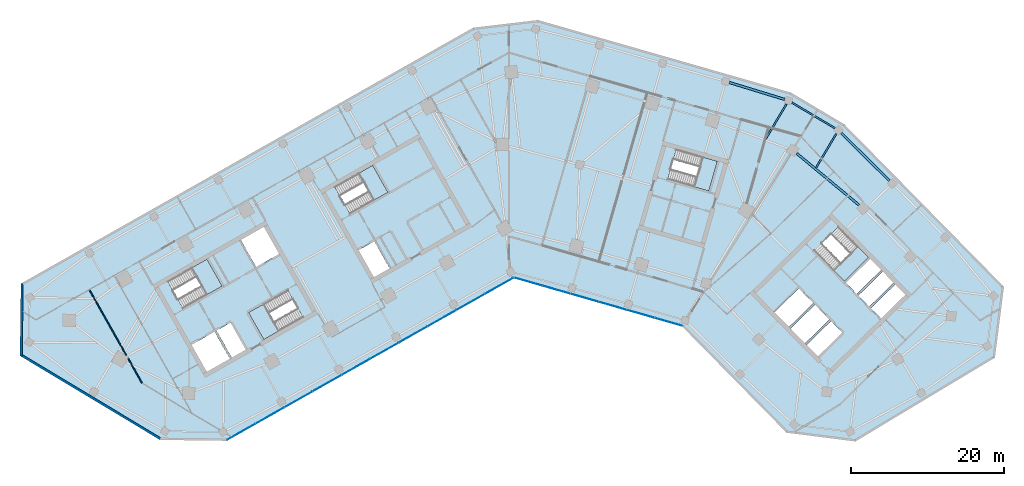
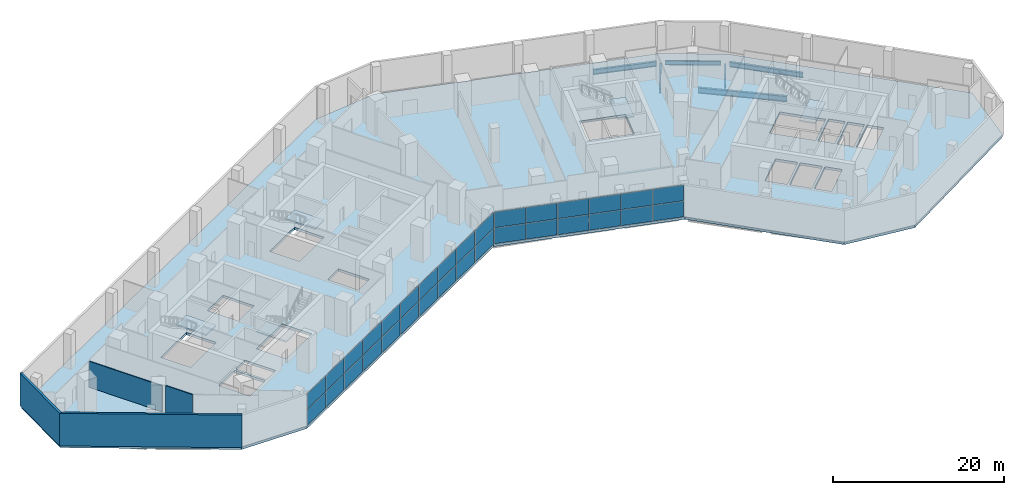
# One storey, part 7 of 15: 32 plates, 6 beams, 6 slabs, 4 walls, 7 elements without a shape of their own.
"""IFC4 building model written with IfcOpenShell, lengths in metres."""

from ifc_helpers import new_model, si_unit, direction, frame, frame_2d, origin, origin_2d, place, context, subcontext, project, spatial, polyline, rectangle, i_section, outline, extrude, material, layer, layer_set, material_profile, profile_set, type_object, element, aggregate, save


model = new_model("IFC4")

# Units and contexts
model_context = context("Model", 3, precision=1e-05, world=origin(), true_north=direction((0.0, 1.0)))
body_context = subcontext(model_context, "Body", "Model", "MODEL_VIEW")
ifc_project = project(units=[si_unit("LENGTHUNIT", "METRE"), si_unit("AREAUNIT", "SQUARE_METRE"), si_unit("VOLUMEUNIT", "CUBIC_METRE"), si_unit("PLANEANGLEUNIT", "RADIAN"), si_unit("MASSUNIT", "GRAM", prefix="KILO")], contexts=[model_context])

# Site, building, storey
site_placement = place(None, origin())
site = spatial("IfcSite", under=ifc_project, at=site_placement, CompositionType="ELEMENT")
building_placement = place(site_placement, origin())
building = spatial("IfcBuilding", under=site, at=building_placement, Name="Binnacle Exchange Tower", CompositionType="ELEMENT")
storey_placement = place(building_placement, frame((0.0, 0.0, 16.5)))
storey = spatial("IfcBuildingStorey", under=building, at=storey_placement, Name="L03", CompositionType="ELEMENT", Elevation=16.5)

# Beams
ifc_material_1 = material(Name="Steel S355 (SHN355)", Category="steel")
ifc_material_profile_1 = material_profile(ifc_material_1, i_section(OverallWidth=0.200927734375, OverallDepth=0.60595703125, WebThickness=0.011962890625, FlangeThickness=0.02001953125, FilletRadius=0.02197265625, at=origin_2d()), Name="H 606x201x12x20")
ifc_profile_set_1 = profile_set([ifc_material_profile_1], Name="Steel S355 (SHN355)")
beam_type_1 = type_object("IfcBeamType", Name="Edge girder H 606x201x12x20 Steel S355 (SHN355)", PredefinedType="SPANDREL", material=ifc_profile_set_1)
beam_1_placement = place(storey_placement, frame((36.972412109375, 65.474609375, -0.653076171875), z_axis=(0.859408777726, -0.51128910879, 0.0), x_axis=(0.51128910879, 0.859408777726, 0.0)))
element("IfcBeam", 1, at=beam_1_placement, inside=storey, type_object=beam_type_1, Name="S:BM:edge:L03:063", PredefinedType="SPANDREL", context=body_context, shape_type="SweptSolid", body=[
    extrude(i_section(OverallWidth=0.200927734375, OverallDepth=0.60595703125, WebThickness=0.011962890625, FlangeThickness=0.02001953125, FilletRadius=0.02197265625, at=origin_2d()), origin(), (0.0, 0.0, 1.0), 6.546142578125),
])
ifc_material_profile_2 = material_profile(ifc_material_1, i_section(OverallWidth=0.300048828125, OverallDepth=0.699951171875, WebThickness=0.012939453125, FlangeThickness=0.02392578125, FilletRadius=0.028076171875, at=origin_2d()), Name="H 700x300x13x24")
ifc_profile_set_2 = profile_set([ifc_material_profile_2], Name="Steel S355 (SHN355)")
beam_type_2 = type_object("IfcBeamType", Name="Edge girder H 700x300x13x24 Steel S355 (SHN355)", PredefinedType="SPANDREL", material=ifc_profile_set_2)
beam_2_placement = place(storey_placement, frame((28.794189453125, 68.103515625, -0.699951171875), z_axis=(0.956298600783, -0.292391836653, 0.0), x_axis=(0.292391836653, 0.956298600783, 0.0)))
element("IfcBeam", 2, at=beam_2_placement, inside=storey, type_object=beam_type_2, Name="S:BM:edge:L03:058", PredefinedType="SPANDREL", context=body_context, shape_type="SweptSolid", body=[
    extrude(i_section(OverallWidth=0.300048828125, OverallDepth=0.699951171875, WebThickness=0.012939453125, FlangeThickness=0.02392578125, FilletRadius=0.028076171875, at=origin_2d()), origin(), (0.0, 0.0, 1.0), 7.58740234375),
])
beam_3_placement = place(storey_placement, frame((43.398193359375, 61.51220703125, -0.699951171875), z_axis=(0.711633547042, -0.702550848497, 0.0), x_axis=(0.702550848497, 0.711633547042, 0.0)))
element("IfcBeam", 3, at=beam_3_placement, inside=storey, type_object=beam_type_2, Name="S:BM:edge:L03:065", PredefinedType="SPANDREL", context=body_context, shape_type="SweptSolid", body=[
    extrude(i_section(OverallWidth=0.300048828125, OverallDepth=0.699951171875, WebThickness=0.012939453125, FlangeThickness=0.02392578125, FilletRadius=0.028076171875, at=origin_2d()), origin(), (0.0, 0.0, 1.0), 8.897216796875),
])
ifc_material_profile_3 = material_profile(ifc_material_1, i_section(OverallWidth=0.300048828125, OverallDepth=0.800048828125, WebThickness=0.013916015625, FlangeThickness=0.02587890625, FilletRadius=0.028076171875, at=origin_2d()), Name="H 800x300x14x26")
ifc_profile_set_3 = profile_set([ifc_material_profile_3], Name="Steel S355 (SHN355)")
beam_type_3 = type_object("IfcBeamType", Name="Edge girder H 800x300x14x26 Steel S355 (SHN355)", PredefinedType="SPANDREL", material=ifc_profile_set_3)
beam_4_placement = place(storey_placement, frame((45.7451171875, 52.084228515625, -0.75), z_axis=(-0.769906025895, 0.638157277864, 0.0), x_axis=(-0.638157277864, -0.769906025895, 0.0)))
element("IfcBeam", 4, at=beam_4_placement, inside=storey, type_object=beam_type_3, Name="S:BM:edge:L03:067", PredefinedType="SPANDREL", context=body_context, shape_type="SweptSolid", body=[
    extrude(i_section(OverallWidth=0.300048828125, OverallDepth=0.800048828125, WebThickness=0.013916015625, FlangeThickness=0.02587890625, FilletRadius=0.028076171875, at=origin_2d()), origin(), (0.0, 0.0, 1.0), 10.59033203125),
])
ifc_material_profile_4 = material_profile(ifc_material_1, i_section(OverallWidth=0.201904296875, OverallDepth=0.612060546875, WebThickness=0.012939453125, FlangeThickness=0.02294921875, FilletRadius=0.02197265625, at=origin_2d()), Name="H 612x202x13x23")
ifc_profile_set_4 = profile_set([ifc_material_profile_4], Name="Steel S355 (SHN355)")
beam_type_4 = type_object("IfcBeamType", Name="Floor beam H 612x202x13x23 Steel S355 (SHN355)", PredefinedType="BEAM", material=ifc_profile_set_4)
beam_5_placement = place(storey_placement, frame((36.263916015625, 65.294677734375, -0.656005859375), z_axis=(-0.511292595627, -0.859406703288, 0.0), x_axis=(0.859406703288, -0.511292595627, 0.0)))
element("IfcBeam", 5, at=beam_5_placement, inside=storey, type_object=beam_type_4, Name="S:BM:cross:L03:115", PredefinedType="BEAM", context=body_context, shape_type="SweptSolid", body=[
    extrude(i_section(OverallWidth=0.201904296875, OverallDepth=0.612060546875, WebThickness=0.012939453125, FlangeThickness=0.02294921875, FilletRadius=0.02197265625, at=origin_2d()), origin(), (0.0, 0.0, 1.0), 5.31884765625),
])
beam_6_placement = place(storey_placement, frame((42.778076171875, 61.419189453125, -0.656005859375), z_axis=(-0.511272874429, -0.859418435847, 0.0), x_axis=(0.859418435847, -0.511272874429, 0.0)))
element("IfcBeam", 6, at=beam_6_placement, inside=storey, type_object=beam_type_4, Name="S:BM:cross:L03:119", PredefinedType="BEAM", context=body_context, shape_type="SweptSolid", body=[
    extrude(i_section(OverallWidth=0.201904296875, OverallDepth=0.612060546875, WebThickness=0.012939453125, FlangeThickness=0.02294921875, FilletRadius=0.02197265625, at=origin_2d()), origin(), (0.0, 0.0, 1.0), 5.208251953125),
])

# Curtain wall, plates
ifc_material_2 = material(Name="Bronze anodised aluminium frame", Category="aluminium")
curtain_wall_type = type_object("IfcCurtainWallType", Name="External wall - curtain wall podium harbour front", PredefinedType="NOTDEFINED", material=ifc_material_2)
curtain_wall_1_placement = place(storey_placement, origin())
curtain_wall_1 = element("IfcCurtainWall", 7, at=curtain_wall_1_placement, inside=storey, type_object=curtain_wall_type, Name="External wall curtain wall CW3-P06 L03", PredefinedType="NOTDEFINED")
ifc_material_3 = material(Name="Glass", Category="glass")
ifc_layer_1 = layer(ifc_material_3, 0.035888671875)
ifc_layer_set_1 = layer_set([ifc_layer_1], Name="CW3 GLASS PANEL 36")
plate_type = type_object("IfcPlateType", Name="CW3 GLASS PANEL 36", PredefinedType="CURTAIN_PANEL", material=ifc_layer_set_1)
plate_1_placement = place(storey_placement, frame((-34.995361328125, 22.455810546875, 0.050048828125), z_axis=(0.0, 0.0, 1.0), x_axis=(0.870355581144, 0.492423763004, 0.0)))
plate_1 = element("IfcPlate", 8, at=plate_1_placement, type_object=plate_type, Name="CW3-P06 panel 1.1", PredefinedType="CURTAIN_PANEL", context=body_context, shape_type="SweptSolid", body=[
    extrude(rectangle(XDim=4.200927734375, YDim=0.035888671875, at=origin_2d()), origin(), (0.0, 0.0, 1.0), 2.25),
])
plate_2_placement = place(storey_placement, frame((-34.995361328125, 22.455810546875, 2.35009765625), z_axis=(0.0, 0.0, 1.0), x_axis=(0.870355581144, 0.492423763004, 0.0)))
plate_2 = element("IfcPlate", 9, at=plate_2_placement, type_object=plate_type, Name="CW3-P06 panel 1.2", PredefinedType="CURTAIN_PANEL", context=body_context, shape_type="SweptSolid", body=[
    extrude(rectangle(XDim=4.200927734375, YDim=0.035888671875, at=origin_2d()), origin(), (0.0, 0.0, 1.0), 2.25),
])
plate_3_placement = place(storey_placement, frame((-31.26318359375, 24.5673828125, 0.050048828125), z_axis=(0.0, 0.0, 1.0), x_axis=(0.870355581144, 0.492423763004, 0.0)))
plate_3 = element("IfcPlate", 10, at=plate_3_placement, type_object=plate_type, Name="CW3-P06 panel 2.1", PredefinedType="CURTAIN_PANEL", context=body_context, shape_type="SweptSolid", body=[
    extrude(rectangle(XDim=4.23583984375, YDim=0.035888671875, at=origin_2d()), origin(), (0.0, 0.0, 1.0), 2.25),
])
plate_4_placement = place(storey_placement, frame((-31.26318359375, 24.5673828125, 2.35009765625), z_axis=(0.0, 0.0, 1.0), x_axis=(0.870355581144, 0.492423763004, 0.0)))
plate_4 = element("IfcPlate", 11, at=plate_4_placement, type_object=plate_type, Name="CW3-P06 panel 2.2", PredefinedType="CURTAIN_PANEL", context=body_context, shape_type="SweptSolid", body=[
    extrude(rectangle(XDim=4.23583984375, YDim=0.035888671875, at=origin_2d()), origin(), (0.0, 0.0, 1.0), 2.25),
])
plate_5_placement = place(storey_placement, frame((-27.515380859375, 26.687744140625, 0.050048828125), z_axis=(0.0, 0.0, 1.0), x_axis=(0.870355581144, 0.492423763004, 0.0)))
plate_5 = element("IfcPlate", 12, at=plate_5_placement, type_object=plate_type, Name="CW3-P06 panel 3.1", PredefinedType="CURTAIN_PANEL", context=body_context, shape_type="SweptSolid", body=[
    extrude(rectangle(XDim=4.23583984375, YDim=0.035888671875, at=origin_2d()), origin(), (0.0, 0.0, 1.0), 2.25),
])
plate_6_placement = place(storey_placement, frame((-27.515380859375, 26.687744140625, 2.35009765625), z_axis=(0.0, 0.0, 1.0), x_axis=(0.870355581144, 0.492423763004, 0.0)))
plate_6 = element("IfcPlate", 13, at=plate_6_placement, type_object=plate_type, Name="CW3-P06 panel 3.2", PredefinedType="CURTAIN_PANEL", context=body_context, shape_type="SweptSolid", body=[
    extrude(rectangle(XDim=4.23583984375, YDim=0.035888671875, at=origin_2d()), origin(), (0.0, 0.0, 1.0), 2.25),
])
plate_7_placement = place(storey_placement, frame((-23.767822265625, 28.807861328125, 0.050048828125), z_axis=(0.0, 0.0, 1.0), x_axis=(0.870355581144, 0.492423763004, 0.0)))
plate_7 = element("IfcPlate", 14, at=plate_7_placement, type_object=plate_type, Name="CW3-P06 panel 4.1", PredefinedType="CURTAIN_PANEL", context=body_context, shape_type="SweptSolid", body=[
    extrude(rectangle(XDim=4.23583984375, YDim=0.035888671875, at=origin_2d()), origin(), (0.0, 0.0, 1.0), 2.25),
])
plate_8_placement = place(storey_placement, frame((-23.767822265625, 28.807861328125, 2.35009765625), z_axis=(0.0, 0.0, 1.0), x_axis=(0.870355581144, 0.492423763004, 0.0)))
plate_8 = element("IfcPlate", 15, at=plate_8_placement, type_object=plate_type, Name="CW3-P06 panel 4.2", PredefinedType="CURTAIN_PANEL", context=body_context, shape_type="SweptSolid", body=[
    extrude(rectangle(XDim=4.23583984375, YDim=0.035888671875, at=origin_2d()), origin(), (0.0, 0.0, 1.0), 2.25),
])
plate_9_placement = place(storey_placement, frame((-20.020263671875, 30.92822265625, 0.050048828125), z_axis=(0.0, 0.0, 1.0), x_axis=(0.870355581144, 0.492423763004, 0.0)))
plate_9 = element("IfcPlate", 16, at=plate_9_placement, type_object=plate_type, Name="CW3-P06 panel 5.1", PredefinedType="CURTAIN_PANEL", context=body_context, shape_type="SweptSolid", body=[
    extrude(rectangle(XDim=4.23583984375, YDim=0.035888671875, at=origin_2d()), origin(), (0.0, 0.0, 1.0), 2.25),
])
plate_10_placement = place(storey_placement, frame((-20.020263671875, 30.92822265625, 2.35009765625), z_axis=(0.0, 0.0, 1.0), x_axis=(0.870355581144, 0.492423763004, 0.0)))
plate_10 = element("IfcPlate", 17, at=plate_10_placement, type_object=plate_type, Name="CW3-P06 panel 5.2", PredefinedType="CURTAIN_PANEL", context=body_context, shape_type="SweptSolid", body=[
    extrude(rectangle(XDim=4.23583984375, YDim=0.035888671875, at=origin_2d()), origin(), (0.0, 0.0, 1.0), 2.25),
])
plate_11_placement = place(storey_placement, frame((-16.272705078125, 33.048583984375, 0.050048828125), z_axis=(0.0, 0.0, 1.0), x_axis=(0.870355581144, 0.492423763004, 0.0)))
plate_11 = element("IfcPlate", 18, at=plate_11_placement, type_object=plate_type, Name="CW3-P06 panel 6.1", PredefinedType="CURTAIN_PANEL", context=body_context, shape_type="SweptSolid", body=[
    extrude(rectangle(XDim=4.23583984375, YDim=0.035888671875, at=origin_2d()), origin(), (0.0, 0.0, 1.0), 2.25),
])
plate_12_placement = place(storey_placement, frame((-16.272705078125, 33.048583984375, 2.35009765625), z_axis=(0.0, 0.0, 1.0), x_axis=(0.870355581144, 0.492423763004, 0.0)))
plate_12 = element("IfcPlate", 19, at=plate_12_placement, type_object=plate_type, Name="CW3-P06 panel 6.2", PredefinedType="CURTAIN_PANEL", context=body_context, shape_type="SweptSolid", body=[
    extrude(rectangle(XDim=4.23583984375, YDim=0.035888671875, at=origin_2d()), origin(), (0.0, 0.0, 1.0), 2.25),
])
plate_13_placement = place(storey_placement, frame((-12.52490234375, 35.1689453125, 0.050048828125), z_axis=(0.0, 0.0, 1.0), x_axis=(0.870355581144, 0.492423763004, 0.0)))
plate_13 = element("IfcPlate", 20, at=plate_13_placement, type_object=plate_type, Name="CW3-P06 panel 7.1", PredefinedType="CURTAIN_PANEL", context=body_context, shape_type="SweptSolid", body=[
    extrude(rectangle(XDim=4.23583984375, YDim=0.035888671875, at=origin_2d()), origin(), (0.0, 0.0, 1.0), 2.25),
])
plate_14_placement = place(storey_placement, frame((-12.52490234375, 35.1689453125, 2.35009765625), z_axis=(0.0, 0.0, 1.0), x_axis=(0.870355581144, 0.492423763004, 0.0)))
plate_14 = element("IfcPlate", 21, at=plate_14_placement, type_object=plate_type, Name="CW3-P06 panel 7.2", PredefinedType="CURTAIN_PANEL", context=body_context, shape_type="SweptSolid", body=[
    extrude(rectangle(XDim=4.23583984375, YDim=0.035888671875, at=origin_2d()), origin(), (0.0, 0.0, 1.0), 2.25),
])
plate_15_placement = place(storey_placement, frame((-8.77734375, 37.2890625, 0.050048828125), z_axis=(0.0, 0.0, 1.0), x_axis=(0.870355581144, 0.492423763004, 0.0)))
plate_15 = element("IfcPlate", 22, at=plate_15_placement, type_object=plate_type, Name="CW3-P06 panel 8.1", PredefinedType="CURTAIN_PANEL", context=body_context, shape_type="SweptSolid", body=[
    extrude(rectangle(XDim=4.23583984375, YDim=0.035888671875, at=origin_2d()), origin(), (0.0, 0.0, 1.0), 2.25),
])
plate_16_placement = place(storey_placement, frame((-8.77734375, 37.2890625, 2.35009765625), z_axis=(0.0, 0.0, 1.0), x_axis=(0.870355581144, 0.492423763004, 0.0)))
plate_16 = element("IfcPlate", 23, at=plate_16_placement, type_object=plate_type, Name="CW3-P06 panel 8.2", PredefinedType="CURTAIN_PANEL", context=body_context, shape_type="SweptSolid", body=[
    extrude(rectangle(XDim=4.23583984375, YDim=0.035888671875, at=origin_2d()), origin(), (0.0, 0.0, 1.0), 2.25),
])
plate_17_placement = place(storey_placement, frame((-5.02978515625, 39.409423828125, 0.050048828125), z_axis=(0.0, 0.0, 1.0), x_axis=(0.870355581144, 0.492423763004, 0.0)))
plate_17 = element("IfcPlate", 24, at=plate_17_placement, type_object=plate_type, Name="CW3-P06 panel 9.1", PredefinedType="CURTAIN_PANEL", context=body_context, shape_type="SweptSolid", body=[
    extrude(rectangle(XDim=4.23583984375, YDim=0.035888671875, at=origin_2d()), origin(), (0.0, 0.0, 1.0), 2.25),
])
plate_18_placement = place(storey_placement, frame((-5.02978515625, 39.409423828125, 2.35009765625), z_axis=(0.0, 0.0, 1.0), x_axis=(0.870355581144, 0.492423763004, 0.0)))
plate_18 = element("IfcPlate", 25, at=plate_18_placement, type_object=plate_type, Name="CW3-P06 panel 9.2", PredefinedType="CURTAIN_PANEL", context=body_context, shape_type="SweptSolid", body=[
    extrude(rectangle(XDim=4.23583984375, YDim=0.035888671875, at=origin_2d()), origin(), (0.0, 0.0, 1.0), 2.25),
])
plate_19_placement = place(storey_placement, frame((-1.29736328125, 41.521240234375, 0.050048828125), z_axis=(0.0, 0.0, 1.0), x_axis=(0.870355581144, 0.492423763004, 0.0)))
plate_19 = element("IfcPlate", 26, at=plate_19_placement, type_object=plate_type, Name="CW3-P06 panel 10.1", PredefinedType="CURTAIN_PANEL", context=body_context, shape_type="SweptSolid", body=[
    extrude(rectangle(XDim=4.200927734375, YDim=0.035888671875, at=origin_2d()), origin(), (0.0, 0.0, 1.0), 2.25),
])
plate_20_placement = place(storey_placement, frame((-1.29736328125, 41.521240234375, 2.35009765625), z_axis=(0.0, 0.0, 1.0), x_axis=(0.870355581144, 0.492423763004, 0.0)))
plate_20 = element("IfcPlate", 27, at=plate_20_placement, type_object=plate_type, Name="CW3-P06 panel 10.2", PredefinedType="CURTAIN_PANEL", context=body_context, shape_type="SweptSolid", body=[
    extrude(rectangle(XDim=4.200927734375, YDim=0.035888671875, at=origin_2d()), origin(), (0.0, 0.0, 1.0), 2.25),
])
aggregate(curtain_wall_1, [plate_1, plate_2, plate_3, plate_4, plate_5, plate_6, plate_7, plate_8, plate_9, plate_10, plate_11, plate_12, plate_13, plate_14, plate_15, plate_16, plate_17, plate_18, plate_19, plate_20])

curtain_wall_2_placement = place(storey_placement, origin())
curtain_wall_2 = element("IfcCurtainWall", 28, at=curtain_wall_2_placement, inside=storey, type_object=curtain_wall_type, Name="External wall curtain wall CW3-P07 L03", PredefinedType="NOTDEFINED")
plate_21_placement = place(storey_placement, frame((2.539794921875, 42.0703125, 0.050048828125), z_axis=(0.0, 0.0, 1.0), x_axis=(0.961261813321, -0.275636946454, 0.0)))
plate_21 = element("IfcPlate", 29, at=plate_21_placement, type_object=plate_type, Name="CW3-P07 panel 1.1", PredefinedType="CURTAIN_PANEL", context=body_context, shape_type="SweptSolid", body=[
    extrude(rectangle(XDim=3.713623046875, YDim=0.035888671875, at=origin_2d()), origin(), (0.0, 0.0, 1.0), 2.25),
])
plate_22_placement = place(storey_placement, frame((2.539794921875, 42.0703125, 2.35009765625), z_axis=(0.0, 0.0, 1.0), x_axis=(0.961261813321, -0.275636946454, 0.0)))
plate_22 = element("IfcPlate", 30, at=plate_22_placement, type_object=plate_type, Name="CW3-P07 panel 1.2", PredefinedType="CURTAIN_PANEL", context=body_context, shape_type="SweptSolid", body=[
    extrude(rectangle(XDim=3.713623046875, YDim=0.035888671875, at=origin_2d()), origin(), (0.0, 0.0, 1.0), 2.25),
])
plate_23_placement = place(storey_placement, frame((6.19384765625, 41.0224609375, 0.050048828125), z_axis=(0.0, 0.0, 1.0), x_axis=(0.961261813321, -0.275636946454, 0.0)))
plate_23 = element("IfcPlate", 31, at=plate_23_placement, type_object=plate_type, Name="CW3-P07 panel 2.1", PredefinedType="CURTAIN_PANEL", context=body_context, shape_type="SweptSolid", body=[
    extrude(rectangle(XDim=3.748779296875, YDim=0.035888671875, at=origin_2d()), origin(), (0.0, 0.0, 1.0), 2.25),
])
plate_24_placement = place(storey_placement, frame((6.19384765625, 41.0224609375, 2.35009765625), z_axis=(0.0, 0.0, 1.0), x_axis=(0.961261813321, -0.275636946454, 0.0)))
plate_24 = element("IfcPlate", 32, at=plate_24_placement, type_object=plate_type, Name="CW3-P07 panel 2.2", PredefinedType="CURTAIN_PANEL", context=body_context, shape_type="SweptSolid", body=[
    extrude(rectangle(XDim=3.748779296875, YDim=0.035888671875, at=origin_2d()), origin(), (0.0, 0.0, 1.0), 2.25),
])
plate_25_placement = place(storey_placement, frame((9.864501953125, 39.969970703125, 0.050048828125), z_axis=(0.0, 0.0, 1.0), x_axis=(0.961261813321, -0.275636946454, 0.0)))
plate_25 = element("IfcPlate", 33, at=plate_25_placement, type_object=plate_type, Name="CW3-P07 panel 3.1", PredefinedType="CURTAIN_PANEL", context=body_context, shape_type="SweptSolid", body=[
    extrude(rectangle(XDim=3.748779296875, YDim=0.035888671875, at=origin_2d()), origin(), (0.0, 0.0, 1.0), 2.25),
])
plate_26_placement = place(storey_placement, frame((9.864501953125, 39.969970703125, 2.35009765625), z_axis=(0.0, 0.0, 1.0), x_axis=(0.961261813321, -0.275636946454, 0.0)))
plate_26 = element("IfcPlate", 34, at=plate_26_placement, type_object=plate_type, Name="CW3-P07 panel 3.2", PredefinedType="CURTAIN_PANEL", context=body_context, shape_type="SweptSolid", body=[
    extrude(rectangle(XDim=3.748779296875, YDim=0.035888671875, at=origin_2d()), origin(), (0.0, 0.0, 1.0), 2.25),
])
plate_27_placement = place(storey_placement, frame((13.53515625, 38.91748046875, 0.050048828125), z_axis=(0.0, 0.0, 1.0), x_axis=(0.961261813321, -0.275636946454, 0.0)))
plate_27 = element("IfcPlate", 35, at=plate_27_placement, type_object=plate_type, Name="CW3-P07 panel 4.1", PredefinedType="CURTAIN_PANEL", context=body_context, shape_type="SweptSolid", body=[
    extrude(rectangle(XDim=3.748779296875, YDim=0.035888671875, at=origin_2d()), origin(), (0.0, 0.0, 1.0), 2.25),
])
plate_28_placement = place(storey_placement, frame((13.53515625, 38.91748046875, 2.35009765625), z_axis=(0.0, 0.0, 1.0), x_axis=(0.961261813321, -0.275636946454, 0.0)))
plate_28 = element("IfcPlate", 36, at=plate_28_placement, type_object=plate_type, Name="CW3-P07 panel 4.2", PredefinedType="CURTAIN_PANEL", context=body_context, shape_type="SweptSolid", body=[
    extrude(rectangle(XDim=3.748779296875, YDim=0.035888671875, at=origin_2d()), origin(), (0.0, 0.0, 1.0), 2.25),
])
plate_29_placement = place(storey_placement, frame((17.2060546875, 37.86474609375, 0.050048828125), z_axis=(0.0, 0.0, 1.0), x_axis=(0.961261813321, -0.275636946454, 0.0)))
plate_29 = element("IfcPlate", 37, at=plate_29_placement, type_object=plate_type, Name="CW3-P07 panel 5.1", PredefinedType="CURTAIN_PANEL", context=body_context, shape_type="SweptSolid", body=[
    extrude(rectangle(XDim=3.748779296875, YDim=0.035888671875, at=origin_2d()), origin(), (0.0, 0.0, 1.0), 2.25),
])
plate_30_placement = place(storey_placement, frame((17.2060546875, 37.86474609375, 2.35009765625), z_axis=(0.0, 0.0, 1.0), x_axis=(0.961261813321, -0.275636946454, 0.0)))
plate_30 = element("IfcPlate", 38, at=plate_30_placement, type_object=plate_type, Name="CW3-P07 panel 5.2", PredefinedType="CURTAIN_PANEL", context=body_context, shape_type="SweptSolid", body=[
    extrude(rectangle(XDim=3.748779296875, YDim=0.035888671875, at=origin_2d()), origin(), (0.0, 0.0, 1.0), 2.25),
])
plate_31_placement = place(storey_placement, frame((20.85986328125, 36.817138671875, 0.050048828125), z_axis=(0.0, 0.0, 1.0), x_axis=(0.961261813321, -0.275636946454, 0.0)))
plate_31 = element("IfcPlate", 39, at=plate_31_placement, type_object=plate_type, Name="CW3-P07 panel 6.1", PredefinedType="CURTAIN_PANEL", context=body_context, shape_type="SweptSolid", body=[
    extrude(rectangle(XDim=3.713623046875, YDim=0.035888671875, at=origin_2d()), origin(), (0.0, 0.0, 1.0), 2.25),
])
plate_32_placement = place(storey_placement, frame((20.85986328125, 36.817138671875, 2.35009765625), z_axis=(0.0, 0.0, 1.0), x_axis=(0.961261813321, -0.275636946454, 0.0)))
plate_32 = element("IfcPlate", 40, at=plate_32_placement, type_object=plate_type, Name="CW3-P07 panel 6.2", PredefinedType="CURTAIN_PANEL", context=body_context, shape_type="SweptSolid", body=[
    extrude(rectangle(XDim=3.713623046875, YDim=0.035888671875, at=origin_2d()), origin(), (0.0, 0.0, 1.0), 2.25),
])
aggregate(curtain_wall_2, [plate_21, plate_22, plate_23, plate_24, plate_25, plate_26, plate_27, plate_28, plate_29, plate_30, plate_31, plate_32])

# Slab
ifc_material_4 = material(Name="Concrete C35/45", Category="concrete")
ifc_layer_2 = layer(ifc_material_4, 0.35009765625)
ifc_layer_set_2 = layer_set([ifc_layer_2], Name="Floor slab 350 Concrete C35/45")
slab_type_1 = type_object("IfcSlabType", Name="Floor slab 350 Concrete C35/45", PredefinedType="FLOOR", material=ifc_layer_set_2)
slab_1_placement = place(storey_placement, frame((0.0, 0.0, -0.35009765625)))
element("IfcSlab", 41, at=slab_1_placement, inside=storey, type_object=slab_type_1, Name="S:SL:L03:01", PredefinedType="FLOOR", context=body_context, shape_type="SweptSolid", body=[
    extrude(outline(polyline([(64.52880859375, 41.35400390625), (63.369873046875, 32.243408203125), (45.233154296875, 21.345703125), (36.33984375, 22.47705078125), (22.79248046875, 36.2626953125), (0.63720703125, 42.61572265625), (-36.81201171875, 21.427978515625), (-45.560791015625, 21.54248046875), (-63.753173828125, 32.4736328125), (-63.6318359375, 41.74365234375), (-4.6328125, 75.12353515625), (3.775634765625, 76.118896484375), (36.7900390625, 66.652099609375), (43.719970703125, 62.529296875), (64.52880859375, 41.35400390625)]), holes=[polyline([(-38.4794921875, 35.529296875), (-41.61279296875, 33.756591796875), (-39.544677734375, 30.10107421875), (-36.411376953125, 31.873779296875), (-38.4794921875, 35.529296875)]), polyline([(-34.322509765625, 33.0556640625), (-36.390625, 36.711181640625), (-38.21826171875, 35.677001953125), (-36.150146484375, 32.021484375), (-34.322509765625, 33.0556640625)]), polyline([(-34.040771484375, 38.04052734375), (-32.04638671875, 34.515625), (-26.9287109375, 37.4111328125), (-28.923095703125, 40.93603515625), (-34.040771484375, 38.04052734375)]), polyline([(-37.486572265625, 41.4912109375), (-39.480712890625, 45.01611328125), (-44.598388671875, 42.12060546875), (-42.604248046875, 38.595703125), (-37.486572265625, 41.4912109375)]), polyline([(-15.53076171875, 43.6875), (-17.598876953125, 47.343017578125), (-19.77490234375, 46.11181640625), (-17.70654296875, 42.456298828125), (-15.53076171875, 43.6875)]), polyline([(-29.914306640625, 45.775390625), (-31.982666015625, 49.430908203125), (-35.115966796875, 47.657958984375), (-33.047607421875, 44.00244140625), (-29.914306640625, 45.775390625)]), polyline([(-15.822509765625, 53.748046875), (-17.81689453125, 57.27294921875), (-22.760498046875, 54.47607421875), (-20.76611328125, 50.950927734375), (-15.822509765625, 53.748046875)]), polyline([(26.111328125, 53.9169921875), (27.227783203125, 57.810302734375), (21.864013671875, 59.348388671875), (20.74755859375, 55.455078125), (26.111328125, 53.9169921875)]), polyline([(40.268798828125, 32.201904296875), (43.549560546875, 35.426025390625), (42.07763671875, 36.923828125), (38.796875, 33.69970703125), (40.268798828125, 32.201904296875)]), polyline([(38.58642578125, 33.913818359375), (41.867431640625, 37.137939453125), (39.97509765625, 39.063720703125), (36.694091796875, 35.83935546875), (38.58642578125, 33.913818359375)]), polyline([(36.48388671875, 36.053466796875), (39.7646484375, 39.277587890625), (37.872314453125, 41.203369140625), (34.59130859375, 37.979248046875), (36.48388671875, 36.053466796875)]), polyline([(48.726806640625, 37.148681640625), (52.0078125, 40.372802734375), (50.577880859375, 41.827880859375), (47.296875, 38.603759765625), (48.726806640625, 37.148681640625)]), polyline([(47.086669921875, 38.817626953125), (50.36767578125, 42.0419921875), (48.944580078125, 43.48974609375), (45.663818359375, 40.265625), (47.086669921875, 38.817626953125)]), polyline([(45.45361328125, 40.4794921875), (48.734375, 43.703857421875), (47.3115234375, 45.151611328125), (44.030517578125, 41.927490234375), (45.45361328125, 40.4794921875)]), polyline([(43.8203125, 42.141357421875), (46.994384765625, 45.260498046875), (43.083251953125, 49.240478515625), (39.9091796875, 46.121337890625), (43.8203125, 42.141357421875)])]), origin(), (0.0, 0.0, 1.0), 0.35009765625),
])

# Stair, slab
stair_type = type_object("IfcStairType", Name="STAIR 28 RISERS 179", PredefinedType="HALF_TURN_STAIR", material=ifc_material_4)
stair_1_placement = place(storey_placement, origin())
stair_1 = element("IfcStair", 42, at=stair_1_placement, inside=storey, type_object=stair_type, Name="L03 Escape stair A1", PredefinedType="HALF_TURN_STAIR")
ifc_layer_3 = layer(ifc_material_4, 0.199951171875)
ifc_layer_set_3 = layer_set([ifc_layer_3], Name="STAIR LANDING 200")
slab_type_2 = type_object("IfcSlabType", Name="STAIR LANDING 200", PredefinedType="LANDING", material=ifc_layer_set_3)
slab_2_placement = place(storey_placement, frame((0.0, 0.0, 2.300048828125)))
slab_2 = element("IfcSlab", 43, at=slab_2_placement, type_object=slab_type_2, Name="STA1 landing 1", PredefinedType="LANDING", context=body_context, shape_type="SweptSolid", body=[
    extrude(outline(polyline([(-39.470947265625, 40.368408203125), (-37.486572265625, 41.4912109375), (-39.48095703125, 45.01611328125), (-41.46533203125, 43.893310546875), (-39.470947265625, 40.368408203125)])), origin(), (0.0, 0.0, 1.0), 0.199951171875),
])
aggregate(stair_1, [slab_2])

stair_2_placement = place(storey_placement, origin())
stair_2 = element("IfcStair", 44, at=stair_2_placement, inside=storey, type_object=stair_type, Name="L03 Escape stair A2", PredefinedType="HALF_TURN_STAIR")
slab_3_placement = place(storey_placement, frame((0.0, 0.0, 2.300048828125)))
slab_3 = element("IfcSlab", 45, at=slab_3_placement, type_object=slab_type_2, Name="STA2 landing 1", PredefinedType="LANDING", context=body_context, shape_type="SweptSolid", body=[
    extrude(outline(polyline([(-32.05615234375, 39.163330078125), (-34.040771484375, 38.04052734375), (-32.04638671875, 34.515625), (-30.06201171875, 35.638427734375), (-32.05615234375, 39.163330078125)])), origin(), (0.0, 0.0, 1.0), 0.199951171875),
])
aggregate(stair_2, [slab_3])

stair_3_placement = place(storey_placement, origin())
stair_3 = element("IfcStair", 46, at=stair_3_placement, inside=storey, type_object=stair_type, Name="L03 Escape stair B1", PredefinedType="HALF_TURN_STAIR")
slab_4_placement = place(storey_placement, frame((0.0, 0.0, 2.300048828125)))
slab_4 = element("IfcSlab", 47, at=slab_4_placement, type_object=slab_type_2, Name="STB1 landing 1", PredefinedType="LANDING", context=body_context, shape_type="SweptSolid", body=[
    extrude(outline(polyline([(42.4326171875, 43.5537109375), (43.8203125, 42.141357421875), (46.994384765625, 45.260498046875), (45.606689453125, 46.672607421875), (42.4326171875, 43.5537109375)])), origin(), (0.0, 0.0, 1.0), 0.199951171875),
])
aggregate(stair_3, [slab_4])

stair_4_placement = place(storey_placement, origin())
stair_4 = element("IfcStair", 48, at=stair_4_placement, inside=storey, type_object=stair_type, Name="L03 Escape stair C1", PredefinedType="HALF_TURN_STAIR")
slab_5_placement = place(storey_placement, frame((0.0, 0.0, 2.300048828125)))
slab_5 = element("IfcSlab", 49, at=slab_5_placement, type_object=slab_type_2, Name="STC1 landing 1", PredefinedType="LANDING", context=body_context, shape_type="SweptSolid", body=[
    extrude(outline(polyline([(-17.6328125, 52.7236328125), (-15.822509765625, 53.748046875), (-17.81689453125, 57.27294921875), (-19.627197265625, 56.248779296875), (-17.6328125, 52.7236328125)])), origin(), (0.0, 0.0, 1.0), 0.199951171875),
])
aggregate(stair_4, [slab_5])

stair_5_placement = place(storey_placement, origin())
stair_5 = element("IfcStair", 50, at=stair_5_placement, inside=storey, type_object=stair_type, Name="L03 Escape stair D1", PredefinedType="HALF_TURN_STAIR")
slab_6_placement = place(storey_placement, frame((0.0, 0.0, 2.300048828125)))
slab_6 = element("IfcSlab", 51, at=slab_6_placement, type_object=slab_type_2, Name="STD1 landing 1", PredefinedType="LANDING", context=body_context, shape_type="SweptSolid", body=[
    extrude(outline(polyline([(24.2080078125, 54.462890625), (26.111328125, 53.917236328125), (27.227783203125, 57.810302734375), (25.324462890625, 58.35595703125), (24.2080078125, 54.462890625)])), origin(), (0.0, 0.0, 1.0), 0.199951171875),
])
aggregate(stair_5, [slab_6])

# Walls
ifc_material_5 = material(Name="Bronze aluminium louvre", Category="aluminium")
ifc_layer_4 = layer(ifc_material_5, 0.300048828125)
ifc_layer_set_4 = layer_set([ifc_layer_4], Name="External wall - podium louvre 300")
wall_type_1 = type_object("IfcWallType", Name="External wall - podium louvre 300", PredefinedType="STANDARD", material=ifc_layer_set_4)
wall_1_placement = place(storey_placement, frame((-63.754150390625, 32.387451171875, 0.0), z_axis=(0.0, 0.0, 1.0), x_axis=(0.013081929375, 0.999914427901, 0.0)))
element("IfcWall", 52, at=wall_1_placement, inside=storey, type_object=wall_type_1, Name="External wall EW-P03 L03", PredefinedType="STANDARD", context=body_context, shape_type="SweptSolid", body=[
    extrude(rectangle(XDim=9.443115234375, YDim=0.300048828125, at=frame_2d((4.7216796875, 0.0))), origin(), (0.0, 0.0, 1.0), 4.64990234375),
])
wall_2_placement = place(storey_placement, frame((-45.526123046875, 21.521728515625, 0.0), z_axis=(0.0, 0.0, 1.0), x_axis=(-0.857164837164, 0.515042174903, 0.0)))
element("IfcWall", 53, at=wall_2_placement, inside=storey, type_object=wall_type_1, Name="External wall EW-P04 L03", PredefinedType="STANDARD", context=body_context, shape_type="SweptSolid", body=[
    extrude(rectangle(XDim=21.350341796875, YDim=0.300048828125, at=frame_2d((10.67529296875, 0.0))), origin(), (0.0, 0.0, 1.0), 4.64990234375),
])
ifc_material_6 = material(Name="Gypsum partition")
ifc_layer_5 = layer(ifc_material_6, 0.125)
ifc_layer_set_5 = layer_set([ifc_layer_5], Name="Partition 125")
wall_type_2 = type_object("IfcWallType", Name="Partition 125", PredefinedType="PARTITIONING", material=ifc_layer_set_5)
wall_3_placement = place(storey_placement, frame((-54.860107421875, 41.02587890625, 0.0), z_axis=(0.0, 0.0, 1.0), x_axis=(0.492429637412, -0.870352257536, 0.0)))
element("IfcWall", 54, at=wall_3_placement, inside=storey, type_object=wall_type_2, Name="Partition W04", PredefinedType="PARTITIONING", context=body_context, shape_type="SweptSolid", body=[
    extrude(rectangle(XDim=9.87158203125, YDim=0.125, at=frame_2d((4.935791015625, 0.0))), origin(), (0.0, 0.0, 1.0), 3.7119140625),
])
wall_4_placement = place(storey_placement, frame((-49.76611328125, 32.02197265625, 0.0), z_axis=(0.0, 0.0, 1.0), x_axis=(0.492501810842, -0.870311419159, 0.0)))
element("IfcWall", 55, at=wall_4_placement, inside=storey, type_object=wall_type_2, Name="Partition W07", PredefinedType="PARTITIONING", context=body_context, shape_type="SweptSolid", body=[
    extrude(rectangle(XDim=3.655029296875, YDim=0.125, at=frame_2d((1.82763671875, 0.0))), origin(), (0.0, 0.0, 1.0), 3.929931640625),
])

save(model, "model.ifc")
